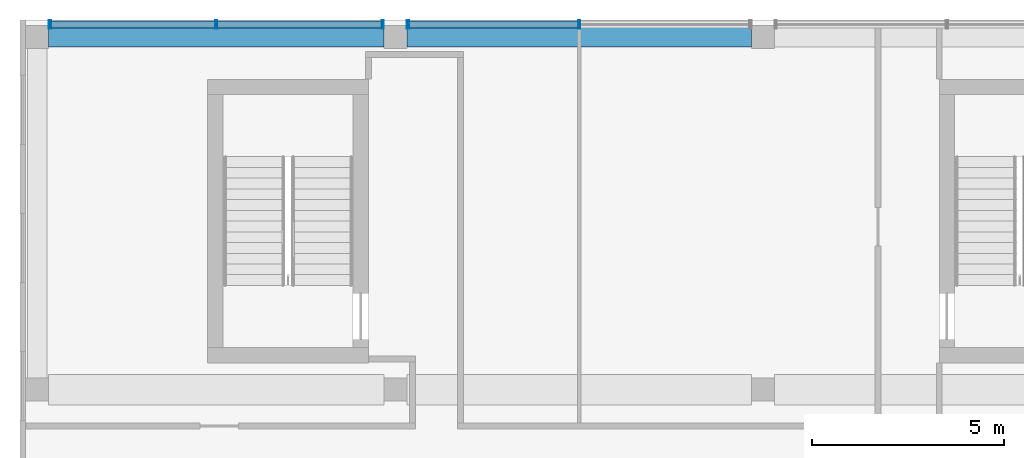
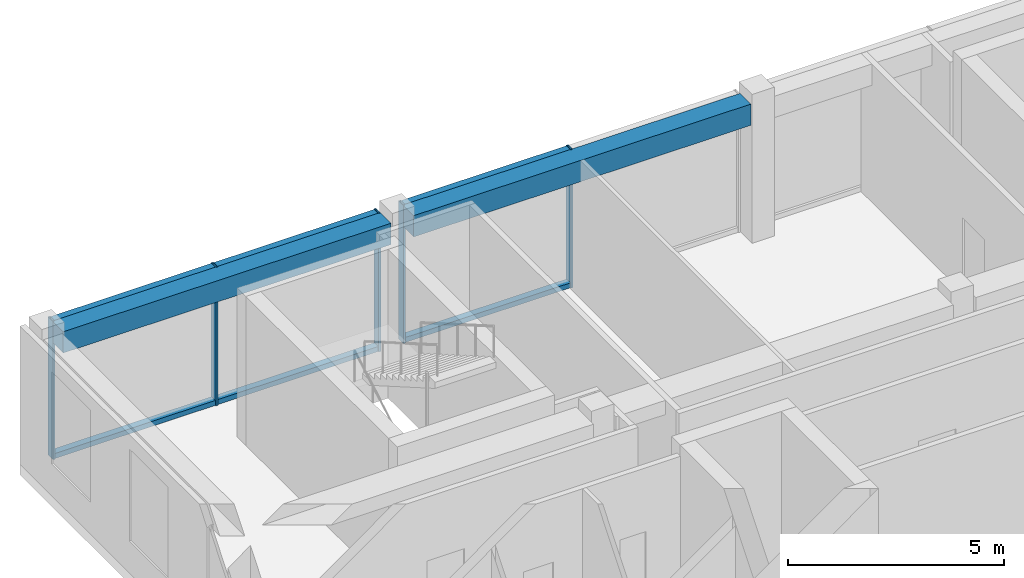
# One storey, part 15 of 28: 11 members, 2 beams, 2 elements without a shape of their own.
"""IFC4 building model written with IfcOpenShell, lengths in metres."""

import ifcopenshell
import ifcopenshell.guid

model = None  # the IFC model being written
_history = None  # IfcOwnerHistory: only IFC2X3 demands one
_inside = {}  # id of a spatial element -> (the spatial element, [elements in it])
_under = {}  # id of a project, library or spatial element -> (it, [spatial elements below it])
_declared = {}  # id of a project -> (the project, [libraries it declares])
_typed = {}  # id of a type object -> (the type object, [elements of that type])
_made_of = {}  # id of a material, layer set ... -> (it, [elements and type objects made of it])


def new_model(schema):
    """Start an empty IFC model of exactly this schema.

    Asked for "IFC4X3", IfcOpenShell would pick the latest addendum, in which some entities
    have other attributes; the version numbers below select the first issue.
    IFC2X3 requires an IfcOwnerHistory on every rooted entity: one is made here for all.
    """
    global model, _history
    if schema == "IFC4X3":
        model = ifcopenshell.file(schema_version=(4, 3, 0, 0))
    else:
        model = ifcopenshell.file(schema=schema)
    _inside.clear()
    _under.clear()
    _declared.clear()
    _typed.clear()
    _made_of.clear()
    _history = None
    if model.schema == "IFC2X3":
        org = make("IfcOrganization", Name="unknown")
        user = make(
            "IfcPersonAndOrganization",
            ThePerson=make("IfcPerson", FamilyName="unknown"),
            TheOrganization=org,
        )
        app = make(
            "IfcApplication",
            ApplicationDeveloper=org,
            Version="unknown",
            ApplicationFullName="unknown",
            ApplicationIdentifier="unknown",
        )
        _history = make(
            "IfcOwnerHistory",
            OwningUser=user,
            OwningApplication=app,
            ChangeAction="ADDED",
            CreationDate=0,
        )
    return model


def make(cls, **values):
    """One entity of the class cls with the attributes given. An attribute that is None is left unset."""
    return model.create_entity(
        cls, **{name: value for name, value in values.items() if value is not None}
    )


def rooted(cls, **values):
    """An entity with a GlobalId (a new one), such as an element, a storey or a relation."""
    return make(cls, GlobalId=ifcopenshell.guid.new(), OwnerHistory=_history, **values)


def si_unit(unit_type, name, prefix=None):
    """IfcSIUnit, for example si_unit("LENGTHUNIT", "METRE", prefix="MILLI")."""
    return make("IfcSIUnit", UnitType=unit_type, Prefix=prefix, Name=name)


def assignment(units):
    """IfcUnitAssignment: the units of a project."""
    return None if units is None else make("IfcUnitAssignment", Units=units)


def point(xyz):
    """IfcCartesianPoint."""
    return None if xyz is None else make("IfcCartesianPoint", Coordinates=xyz)


def direction(xyz):
    """IfcDirection."""
    return None if xyz is None else make("IfcDirection", DirectionRatios=xyz)


def frame(location, z_axis=None, x_axis=None):
    """IfcAxis2Placement3D, a coordinate frame: its origin and axes. An axis left out is left unset."""
    return make(
        "IfcAxis2Placement3D",
        Location=point(location),
        Axis=direction(z_axis),
        RefDirection=direction(x_axis),
    )


def frame_2d(location, x_axis=None):
    """IfcAxis2Placement2D, a coordinate frame in the plane: its origin and x axis."""
    return make(
        "IfcAxis2Placement2D", Location=point(location), RefDirection=direction(x_axis)
    )


def origin():
    """The frame at (0, 0, 0) with its axes left unset."""
    return frame((0.0, 0.0, 0.0))


def origin_2d():
    """The frame at (0, 0) in the plane with its x axis left unset."""
    return frame_2d((0.0, 0.0))


def place(relative_to, where):
    """IfcLocalPlacement: puts the frame where relative to a parent placement (None: the world)."""
    return make(
        "IfcLocalPlacement", PlacementRelTo=relative_to, RelativePlacement=where
    )


def context(
    kind, dimensions, precision=None, world=None, true_north=None, identifier=None
):
    """IfcGeometricRepresentationContext, for example the 3D "Model" context."""
    return make(
        "IfcGeometricRepresentationContext",
        ContextIdentifier=identifier,
        ContextType=kind,
        CoordinateSpaceDimension=dimensions,
        Precision=precision,
        WorldCoordinateSystem=world,
        TrueNorth=true_north,
    )


def subcontext(parent, identifier, kind, view, scale=None):
    """IfcGeometricRepresentationSubContext, for example "Body" below "Model"."""
    return make(
        "IfcGeometricRepresentationSubContext",
        ContextIdentifier=identifier,
        ContextType=kind,
        ParentContext=parent,
        TargetScale=scale,
        TargetView=view,
    )


def project(units=None, contexts=None):
    """IfcProject with its units and contexts."""
    return rooted(
        "IfcProject",
        Name="project",
        RepresentationContexts=contexts,
        UnitsInContext=assignment(units),
    )


def spatial(cls, under=None, at=None, **own):
    """A site, building, storey or space (cls), placed at a placement, below another one or the project."""
    s = rooted(cls, ObjectPlacement=at, **own)
    if under is not None:
        _under.setdefault(under.id(), (under, []))[1].append(s)
    return s


def profile(cls, at=None, kind="AREA", **sizes):
    """A parametric profile (cls). Its sizes go by their IFC names, for example OverallWidth=200.0."""
    return make(cls, ProfileType=kind, Position=at, **sizes)


def rectangle(**sizes):
    """IfcRectangleProfileDef."""
    return profile("IfcRectangleProfileDef", **sizes)


def hollow_rectangle(**sizes):
    """IfcRectangleHollowProfileDef."""
    return profile("IfcRectangleHollowProfileDef", **sizes)


def extrude(swept, where, along, depth):
    """IfcExtrudedAreaSolid: the profile swept, set in the frame where, extruded along a direction by depth."""
    return make(
        "IfcExtrudedAreaSolid",
        SweptArea=swept,
        Position=where,
        ExtrudedDirection=direction(along),
        Depth=depth,
    )


def shape(context_of_items, identifier, shape_type, items):
    """IfcShapeRepresentation: the items that make up one representation, for example the "Body"."""
    return make(
        "IfcShapeRepresentation",
        ContextOfItems=context_of_items,
        RepresentationIdentifier=identifier,
        RepresentationType=shape_type,
        Items=items,
    )


def material(Name=None, Category=None):
    """IfcMaterial."""
    return make("IfcMaterial", Name=Name, Category=Category)


def layer(
    of_material, thickness, ventilated=None, Name=None, Category=None, Priority=None
):
    """IfcMaterialLayer: one layer of a wall or slab, of a material (None: an air gap)."""
    return make(
        "IfcMaterialLayer",
        Material=of_material,
        LayerThickness=thickness,
        IsVentilated=ventilated,
        Name=Name,
        Category=Category,
        Priority=Priority,
    )


def layer_set(layers, Name=None):
    """IfcMaterialLayerSet."""
    return make("IfcMaterialLayerSet", MaterialLayers=layers, LayerSetName=Name)


def material_profile(
    of_material, cross_section, Name=None, Category=None, Priority=None
):
    """IfcMaterialProfile: a cross section and its material."""
    return make(
        "IfcMaterialProfile",
        Name=Name,
        Material=of_material,
        Profile=cross_section,
        Priority=Priority,
        Category=Category,
    )


def profile_set(profiles, Name=None, composite=None):
    """IfcMaterialProfileSet."""
    return make(
        "IfcMaterialProfileSet",
        Name=Name,
        MaterialProfiles=profiles,
        CompositeProfile=composite,
    )


def made_of(thing, what):
    """Note that an element or type object is made of a material, layer set ...; save() writes the relation."""
    if what is not None:
        _made_of.setdefault(what.id(), (what, []))[1].append(thing)
    return thing


def type_object(cls, material=None, **own):
    """A type object (cls), such as IfcWallType, which elements share."""
    return made_of(rooted(cls, **own), material)


def element(
    cls,
    number,
    at=None,
    inside=None,
    cuts=None,
    type_object=None,
    material=None,
    context=None,
    identifier="Body",
    shape_type=None,
    held_by="IfcProductDefinitionShape",
    body=None,
    shapes=None,
    **own,
):
    """One element of the class cls, such as IfcWall. Its Tag is "e" and its number.

    at: its placement. inside: the storey or other place that contains it. cuts: it is an
    opening in that element (IfcRelVoidsElement). A single representation is given by context,
    identifier, shape_type and body (its items); several are given by shapes. held_by: the class
    of the entity that holds the representations. save() writes the other relations.
    """
    e = rooted(cls, Tag="e%d" % number, ObjectPlacement=at, **own)
    if body is not None:
        shapes = [shape(context, identifier, shape_type, body)]
    if shapes is not None:
        e.Representation = make(held_by, Representations=shapes)
    if inside is not None:
        _inside.setdefault(inside.id(), (inside, []))[1].append(e)
    if cuts is not None:
        rooted(
            "IfcRelVoidsElement", RelatingBuildingElement=cuts, RelatedOpeningElement=e
        )
    if type_object is not None:
        _typed.setdefault(type_object.id(), (type_object, []))[1].append(e)
    return made_of(e, material)


def aggregate(whole, parts):
    """IfcRelAggregates: a whole, such as a stair, and the parts it consists of."""
    return rooted("IfcRelAggregates", RelatingObject=whole, RelatedObjects=parts)


def save(model, path):
    """Write the relations noted so far, then the file.

    IfcRelAggregates (storeys below a building ...), IfcRelContainedInSpatialStructure (elements
    in a storey), IfcRelDefinesByType, IfcRelAssociatesMaterial and IfcRelDeclares: one each for
    every whole, place, type object, material and project.
    """
    for whole, parts in _under.values():
        aggregate(whole, parts)
    for where, things in _inside.values():
        rooted(
            "IfcRelContainedInSpatialStructure",
            RelatedElements=things,
            RelatingStructure=where,
        )
    for kind, things in _typed.values():
        rooted("IfcRelDefinesByType", RelatedObjects=things, RelatingType=kind)
    for what, things in _made_of.values():
        rooted("IfcRelAssociatesMaterial", RelatedObjects=things, RelatingMaterial=what)
    for by, libraries in _declared.values():
        rooted("IfcRelDeclares", RelatingContext=by, RelatedDefinitions=libraries)
    model.write(path)


model = new_model("IFC4")

# Units and contexts
model_context = context("Model", 3, precision=1e-05, world=origin(), true_north=direction((0.0, 1.0)))
body_context = subcontext(model_context, "Body", "Model", "MODEL_VIEW")
ifc_project = project(units=[si_unit("LENGTHUNIT", "METRE"), si_unit("AREAUNIT", "SQUARE_METRE"), si_unit("VOLUMEUNIT", "CUBIC_METRE"), si_unit("PLANEANGLEUNIT", "RADIAN"), si_unit("MASSUNIT", "GRAM", prefix="KILO")], contexts=[model_context])

# Site, building, storey
site_placement = place(None, origin())
site = spatial("IfcSite", under=ifc_project, at=site_placement, CompositionType="ELEMENT")
building_placement = place(site_placement, origin())
building = spatial("IfcBuilding", under=site, at=building_placement, Name="Nzadi Deep Aquarium and Research Tower", CompositionType="ELEMENT")
storey_placement = place(building_placement, frame((0.0, 0.0, 73.89990234375)))
storey = spatial("IfcBuildingStorey", under=building, at=storey_placement, Name="L15", CompositionType="ELEMENT", Elevation=73.89990234375)

# Curtain wall, members
ifc_material_1 = material(Name="Aluminium unitised frame deep", Category="aluminium")
ifc_layer = layer(ifc_material_1, 0.22509765625)
ifc_layer_set = layer_set([ifc_layer], Name="Aluminium unitised frame deep")
curtain_wall_type = type_object("IfcCurtainWallType", Name="Curtain wall Unitised Deep 225", PredefinedType="NOTDEFINED", material=ifc_layer_set)
curtain_wall_1_placement = place(storey_placement, origin())
curtain_wall_1 = element("IfcCurtainWall", 1, at=curtain_wall_1_placement, inside=storey, type_object=curtain_wall_type, Name="Unitised curtain wall blade B north L15", PredefinedType="NOTDEFINED")
ifc_material_2 = material(Name="Aluminium unitised frame deep", Category="aluminium")
ifc_material_profile_1 = material_profile(ifc_material_2, hollow_rectangle(XDim=0.22509765625, YDim=0.06005859375, WallThickness=0.0048828125, at=origin_2d()))
ifc_profile_set_1 = profile_set([ifc_material_profile_1], Name="Aluminium unitised frame deep")
member_type_1 = type_object("IfcMemberType", Name="Mullion 60x225 Unitised Deep", PredefinedType="MULLION", material=ifc_profile_set_1)
member_1_placement = place(storey_placement, frame((0.580078125, 46.33740234375, 0.0), z_axis=(0.0, 0.0, 1.0), x_axis=(0.0, 1.0, 0.0)))
member_1 = element("IfcMember", 2, at=member_1_placement, type_object=member_type_1, Name="CW188 mullion 1", PredefinedType="MULLION", context=body_context, shape_type="SweptSolid", body=[
    extrude(hollow_rectangle(XDim=0.22509765625, YDim=0.06005859375, WallThickness=0.0048828125, at=origin_2d()), origin(), (0.0, 0.0, 1.0), 3.900146484375),
])
member_2_placement = place(storey_placement, frame((4.925048828125, 46.33740234375, 0.0), z_axis=(0.0, 0.0, 1.0), x_axis=(0.0, 1.0, 0.0)))
member_2 = element("IfcMember", 3, at=member_2_placement, type_object=member_type_1, Name="CW188 mullion 2", PredefinedType="MULLION", context=body_context, shape_type="SweptSolid", body=[
    extrude(hollow_rectangle(XDim=0.22509765625, YDim=0.06005859375, WallThickness=0.0048828125, at=origin_2d()), origin(), (0.0, 0.0, 1.0), 3.900146484375),
])
member_3_placement = place(storey_placement, frame((9.27001953125, 46.33740234375, 0.0), z_axis=(0.0, 0.0, 1.0), x_axis=(0.0, 1.0, 0.0)))
member_3 = element("IfcMember", 4, at=member_3_placement, type_object=member_type_1, Name="CW188 mullion 3", PredefinedType="MULLION", context=body_context, shape_type="SweptSolid", body=[
    extrude(hollow_rectangle(XDim=0.22509765625, YDim=0.06005859375, WallThickness=0.0048828125, at=origin_2d()), origin(), (0.0, 0.0, 1.0), 3.900146484375),
])

curtain_wall_2_placement = place(storey_placement, origin())
curtain_wall_2 = element("IfcCurtainWall", 5, at=curtain_wall_2_placement, inside=storey, type_object=curtain_wall_type, Name="Unitised curtain wall blade B north L15", PredefinedType="NOTDEFINED")
member_4_placement = place(storey_placement, frame((9.929931640625, 46.33740234375, 0.0), z_axis=(0.0, 0.0, 1.0), x_axis=(0.0, 1.0, 0.0)))
member_4 = element("IfcMember", 6, at=member_4_placement, type_object=member_type_1, Name="CW189 mullion 1", PredefinedType="MULLION", context=body_context, shape_type="SweptSolid", body=[
    extrude(hollow_rectangle(XDim=0.22509765625, YDim=0.06005859375, WallThickness=0.0048828125, at=origin_2d()), origin(), (0.0, 0.0, 1.0), 3.900146484375),
])
member_5_placement = place(storey_placement, frame((14.39990234375, 46.33740234375, 0.0), z_axis=(0.0, 0.0, 1.0), x_axis=(0.0, 1.0, 0.0)))
member_5 = element("IfcMember", 7, at=member_5_placement, type_object=member_type_1, Name="CW189 mullion 2", PredefinedType="MULLION", context=body_context, shape_type="SweptSolid", body=[
    extrude(hollow_rectangle(XDim=0.22509765625, YDim=0.06005859375, WallThickness=0.0048828125, at=origin_2d()), origin(), (0.0, 0.0, 1.0), 3.900146484375),
])

# Beams
ifc_material_3 = material(Name="Concrete C35/45", Category="concrete")
ifc_material_profile_2 = material_profile(ifc_material_3, rectangle(XDim=0.5, YDim=0.60009765625, at=origin_2d()))
ifc_profile_set_2 = profile_set([ifc_material_profile_2], Name="Concrete C35/45")
beam_type = type_object("IfcBeamType", Name="RC 500x600", PredefinedType="BEAM", material=ifc_profile_set_2)
beam_1_placement = place(storey_placement, frame((0.550048828125, 46.0, 3.60009765625), z_axis=(1.0, 0.0, 0.0), x_axis=(0.0, 1.0, 0.0)))
element("IfcBeam", 8, at=beam_1_placement, inside=storey, type_object=beam_type, Name="B-Z1-L15-L6-1", PredefinedType="BEAM", context=body_context, shape_type="SweptSolid", body=[
    extrude(rectangle(XDim=0.5, YDim=0.60009765625, at=origin_2d()), origin(), (0.0, 0.0, 1.0), 8.75),
])
beam_2_placement = place(storey_placement, frame((9.89990234375, 46.0, 3.60009765625), z_axis=(1.0, 0.0, 0.0), x_axis=(0.0, 1.0, 0.0)))
element("IfcBeam", 9, at=beam_2_placement, inside=storey, type_object=beam_type, Name="B-Z1-L15-L6-2", PredefinedType="BEAM", context=body_context, shape_type="SweptSolid", body=[
    extrude(rectangle(XDim=0.5, YDim=0.60009765625, at=origin_2d()), origin(), (0.0, 0.0, 1.0), 9.0),
])

# Member
ifc_material_4 = material(Name="Aluminium unitised frame deep", Category="aluminium")
ifc_material_profile_3 = material_profile(ifc_material_4, hollow_rectangle(XDim=0.179931640625, YDim=0.139892578125, WallThickness=0.0048828125, at=origin_2d()))
ifc_profile_set_3 = profile_set([ifc_material_profile_3], Name="Aluminium unitised frame deep")
member_type_2 = type_object("IfcMemberType", Name="Transom 140x180 Unitised Deep", PredefinedType="MULLION", material=ifc_profile_set_3)
member_6_placement = place(storey_placement, frame((0.610107421875, 46.33740234375, 0.070068359375), z_axis=(1.0, 0.0, 0.0), x_axis=(0.0, 1.0, 0.0)))
member_6 = element("IfcMember", 10, at=member_6_placement, type_object=member_type_2, Name="CW188 transom 1.1", PredefinedType="MULLION", context=body_context, shape_type="SweptSolid", body=[
    extrude(hollow_rectangle(XDim=0.179931640625, YDim=0.139892578125, WallThickness=0.0048828125, at=origin_2d()), origin(), (0.0, 0.0, 1.0), 4.284912109375),
])

member_7_placement = place(storey_placement, frame((0.610107421875, 46.33740234375, 3.830078125), z_axis=(1.0, 0.0, 0.0), x_axis=(0.0, 1.0, 0.0)))
member_7 = element("IfcMember", 11, at=member_7_placement, type_object=member_type_2, Name="CW188 transom 1.2", PredefinedType="MULLION", context=body_context, shape_type="SweptSolid", body=[
    extrude(hollow_rectangle(XDim=0.179931640625, YDim=0.139892578125, WallThickness=0.0048828125, at=origin_2d()), origin(), (0.0, 0.0, 1.0), 4.284912109375),
])

member_8_placement = place(storey_placement, frame((4.955078125, 46.33740234375, 0.070068359375), z_axis=(1.0, 0.0, 0.0), x_axis=(0.0, 1.0, 0.0)))
member_8 = element("IfcMember", 12, at=member_8_placement, type_object=member_type_2, Name="CW188 transom 2.1", PredefinedType="MULLION", context=body_context, shape_type="SweptSolid", body=[
    extrude(hollow_rectangle(XDim=0.179931640625, YDim=0.139892578125, WallThickness=0.0048828125, at=origin_2d()), origin(), (0.0, 0.0, 1.0), 4.284912109375),
])

member_9_placement = place(storey_placement, frame((4.955078125, 46.33740234375, 3.830078125), z_axis=(1.0, 0.0, 0.0), x_axis=(0.0, 1.0, 0.0)))
member_9 = element("IfcMember", 13, at=member_9_placement, type_object=member_type_2, Name="CW188 transom 2.2", PredefinedType="MULLION", context=body_context, shape_type="SweptSolid", body=[
    extrude(hollow_rectangle(XDim=0.179931640625, YDim=0.139892578125, WallThickness=0.0048828125, at=origin_2d()), origin(), (0.0, 0.0, 1.0), 4.284912109375),
])

aggregate(curtain_wall_1, [member_1, member_2, member_3, member_6, member_7, member_8, member_9])

member_10_placement = place(storey_placement, frame((9.9599609375, 46.33740234375, 0.070068359375), z_axis=(1.0, 0.0, 0.0), x_axis=(0.0, 1.0, 0.0)))
member_10 = element("IfcMember", 14, at=member_10_placement, type_object=member_type_2, Name="CW189 transom 1.1", PredefinedType="MULLION", context=body_context, shape_type="SweptSolid", body=[
    extrude(hollow_rectangle(XDim=0.179931640625, YDim=0.139892578125, WallThickness=0.0048828125, at=origin_2d()), origin(), (0.0, 0.0, 1.0), 4.41015625),
])

member_11_placement = place(storey_placement, frame((9.9599609375, 46.33740234375, 3.830078125), z_axis=(1.0, 0.0, 0.0), x_axis=(0.0, 1.0, 0.0)))
member_11 = element("IfcMember", 15, at=member_11_placement, type_object=member_type_2, Name="CW189 transom 1.2", PredefinedType="MULLION", context=body_context, shape_type="SweptSolid", body=[
    extrude(hollow_rectangle(XDim=0.179931640625, YDim=0.139892578125, WallThickness=0.0048828125, at=origin_2d()), origin(), (0.0, 0.0, 1.0), 4.41015625),
])

aggregate(curtain_wall_2, [member_4, member_5, member_10, member_11])

save(model, "model.ifc")
